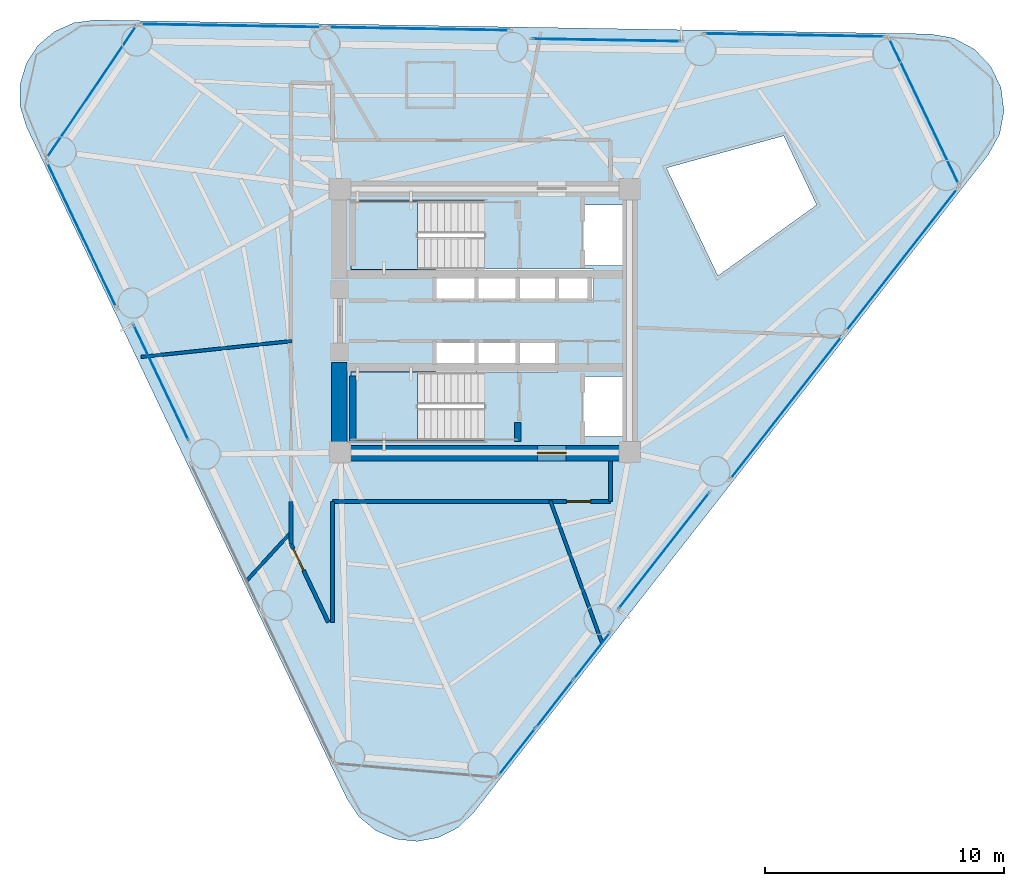
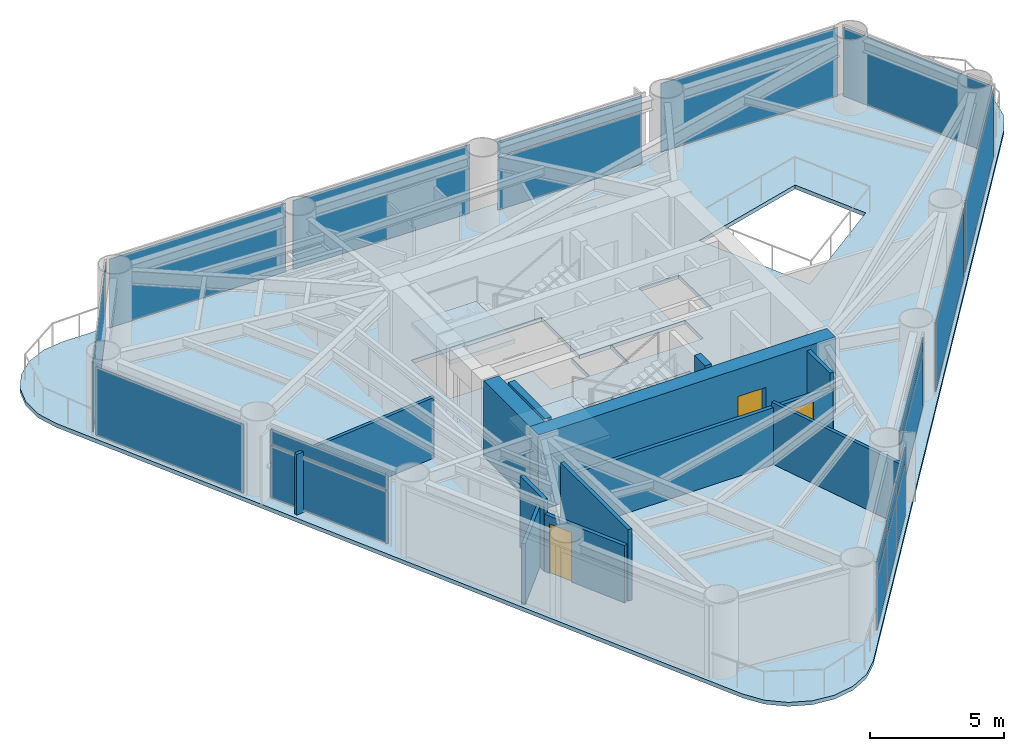
# One storey, part 5 of 10: 20 plates, 12 walls, 3 doors, 3 slabs, 3 openings, 14 elements without a shape of their own.
"""IFC4 building model written with IfcOpenShell, lengths in metres."""

from ifc_helpers import new_model, si_unit, direction, frame, frame_2d, origin, origin_2d, place, context, subcontext, project, spatial, polyline, rectangle, outline, extrude, source, transform, mapped, material, layer, layer_set, type_object, element, fill, aggregate, save


model = new_model("IFC4")

# Units and contexts
model_context = context("Model", 3, precision=1e-05, world=origin(), true_north=direction((0.0, 1.0)))
body_context = subcontext(model_context, "Body", "Model", "MODEL_VIEW")
ifc_project = project(units=[si_unit("LENGTHUNIT", "METRE"), si_unit("AREAUNIT", "SQUARE_METRE"), si_unit("VOLUMEUNIT", "CUBIC_METRE"), si_unit("PLANEANGLEUNIT", "RADIAN"), si_unit("MASSUNIT", "GRAM", prefix="KILO")], contexts=[model_context])

# Site, building, storey
site_placement = place(None, origin())
site = spatial("IfcSite", under=ifc_project, at=site_placement, CompositionType="ELEMENT")
building_placement = place(site_placement, origin())
building = spatial("IfcBuilding", under=site, at=building_placement, Name="Yunling Apex Tower", CompositionType="ELEMENT")
storey_placement = place(building_placement, frame((0.0, 0.0, 132.949951171875)))
storey = spatial("IfcBuildingStorey", under=building, at=storey_placement, Name="L32", CompositionType="ELEMENT", Elevation=132.949951171875)

# Slab
ifc_material_1 = material(Name="Concrete C40", Category="concrete")
ifc_layer_1 = layer(ifc_material_1, 0.1650390625)
ifc_layer_set_1 = layer_set([ifc_layer_1], Name="Concrete C40")
slab_type_1 = type_object("IfcSlabType", Name="SL-FLR-2", PredefinedType="FLOOR", material=ifc_layer_set_1)
slab_1_placement = place(storey_placement, frame((0.0, 0.0, -0.179931640625)))
element("IfcSlab", 1, at=slab_1_placement, inside=storey, type_object=slab_type_1, Name="L32 Composite Tower Floor Slab", PredefinedType="FLOOR", context=body_context, shape_type="SweptSolid", body=[
    extrude(outline(polyline([(-5.759765625, -19.970947265625), (-5.255615234375, -20.723388671875), (-4.55712890625, -21.300048828125), (-3.722900390625, -21.652587890625), (-2.82275390625, -21.75146484375), (-1.931884765625, -21.58837890625), (-1.125, -21.17724609375), (-0.469482421875, -20.55224609375), (21.029541015625, 6.926025390625), (21.5078125, 7.7900390625), (21.693115234375, 8.76025390625), (21.566650390625, 9.73974609375), (21.1416015625, 10.631103515625), (20.459716796875, 11.345703125), (19.58935546875, 11.812255859375), (18.616943359375, 11.984375), (-16.267578125, 12.569091796875), (-17.165771484375, 12.453125), (-17.9931640625, 12.084716796875), (-18.680419921875, 11.4951171875), (-19.170166015625, 10.733154296875), (-19.421142578125, 9.86279296875), (-19.41259765625, 8.957275390625), (-19.14501953125, 8.092041015625), (-5.759765625, -19.970947265625)]), holes=[polyline([(12.489013671875, 7.7294921875), (13.86669921875, 4.84130859375), (9.7412109375, 1.87646484375), (7.58837890625, 6.389404296875), (12.489013671875, 7.7294921875)]), polyline([(4.090087890625, -2.320068359375), (5.81005859375, -2.320068359375), (5.81005859375, -4.840087890625), (4.090087890625, -4.840087890625), (4.090087890625, -2.320068359375)]), polyline([(5.81005859375, 4.840087890625), (5.81005859375, 2.320068359375), (4.090087890625, 2.320068359375), (4.090087890625, 4.840087890625), (5.81005859375, 4.840087890625)]), polyline([(1.364990234375, 2.1650390625), (4.534912109375, 2.1650390625), (4.534912109375, 0.794921875), (1.364990234375, 0.794921875), (1.364990234375, 2.1650390625)]), polyline([(3.034912109375, -0.794921875), (3.034912109375, -2.1650390625), (1.364990234375, -2.1650390625), (1.364990234375, -0.794921875), (3.034912109375, -0.794921875)]), polyline([(-2.034912109375, -0.794921875), (-0.364990234375, -0.794921875), (-0.364990234375, -2.139892578125), (-0.3349609375, -2.139892578125), (-0.3349609375, -0.794921875), (1.3349609375, -0.794921875), (1.3349609375, -2.1650390625), (-0.010009765625, -2.1650390625), (-0.010009765625, -5.010009765625), (-5.60009765625, -5.010009765625), (-5.60009765625, -2.139892578125), (-2.034912109375, -2.139892578125), (-2.034912109375, -0.794921875)]), polyline([(-5.60009765625, 2.139892578125), (-5.60009765625, 5.010009765625), (-0.010009765625, 5.010009765625), (-0.010009765625, 2.1650390625), (1.3349609375, 2.1650390625), (1.3349609375, 0.794921875), (-0.3349609375, 0.794921875), (-0.3349609375, 2.139892578125), (-0.364990234375, 2.139892578125), (-0.364990234375, 0.794921875), (-2.034912109375, 0.794921875), (-2.034912109375, 2.139892578125), (-5.60009765625, 2.139892578125)])]), origin(), (0.0, 0.0, 1.0), 0.179931640625),
])

# Stair, slab
stair_type = type_object("IfcStairType", Name="ST-TWR-2", PredefinedType="HALF_TURN_STAIR", material=ifc_material_1)
stair_1_placement = place(storey_placement, origin())
stair_1 = element("IfcStair", 2, at=stair_1_placement, inside=storey, type_object=stair_type, Name="L32 North Core Smokeproof Exit Stair ST-1", PredefinedType="HALF_TURN_STAIR")
ifc_layer_2 = layer(ifc_material_1, 0.195068359375)
ifc_layer_set_2 = layer_set([ifc_layer_2], Name="Concrete C40")
slab_type_2 = type_object("IfcSlabType", Name="SL-LND-1", PredefinedType="LANDING", material=ifc_layer_set_2)
slab_2_placement = place(storey_placement, frame((0.0, 0.0, 1.530029296875)))
slab_2 = element("IfcSlab", 3, at=slab_2_placement, type_object=slab_type_2, Name="ST-1 landing 1", PredefinedType="LANDING", context=body_context, shape_type="SweptSolid", body=[
    extrude(outline(polyline([(-2.81005859375, 5.010009765625), (-5.60009765625, 5.010009765625), (-5.60009765625, 2.139892578125), (-2.81005859375, 2.139892578125), (-2.81005859375, 5.010009765625)])), origin(), (0.0, 0.0, 1.0), 0.195068359375),
])
aggregate(stair_1, [slab_2])

stair_2_placement = place(storey_placement, origin())
stair_2 = element("IfcStair", 4, at=stair_2_placement, inside=storey, type_object=stair_type, Name="L32 South Core Smokeproof Exit Stair ST-2", PredefinedType="HALF_TURN_STAIR")
slab_3_placement = place(storey_placement, frame((0.0, 0.0, 1.530029296875)))
slab_3 = element("IfcSlab", 5, at=slab_3_placement, type_object=slab_type_2, Name="ST-2 landing 1", PredefinedType="LANDING", context=body_context, shape_type="SweptSolid", body=[
    extrude(outline(polyline([(-2.81005859375, -2.139892578125), (-5.60009765625, -2.139892578125), (-5.60009765625, -5.010009765625), (-2.81005859375, -5.010009765625), (-2.81005859375, -2.139892578125)])), origin(), (0.0, 0.0, 1.0), 0.195068359375),
])
aggregate(stair_2, [slab_3])

# Curtain wall, plates
ifc_material_2 = material(Name="Bronze anodised aluminium", Category="aluminium")
ifc_layer_3 = layer(ifc_material_2, 0.239990234375)
ifc_layer_set_3 = layer_set([ifc_layer_3], Name="Bronze anodised aluminium")
curtain_wall_type = type_object("IfcCurtainWallType", Name="CW-SYS-3", PredefinedType="NOTDEFINED", material=ifc_layer_set_3)
curtain_wall_1_placement = place(storey_placement, origin())
curtain_wall_1 = element("IfcCurtainWall", 6, at=curtain_wall_1_placement, inside=storey, type_object=curtain_wall_type, Name="CW-L32-F1-B1", PredefinedType="NOTDEFINED")
ifc_material_3 = material(Name="Bronze tinted low-E glass", Category="glass")
ifc_layer_4 = layer(ifc_material_3, 0.031982421875)
ifc_layer_set_4 = layer_set([ifc_layer_4], Name="Bronze tinted low-E glass")
plate_type = type_object("IfcPlateType", Name="CW-PNL-3", PredefinedType="CURTAIN_PANEL", material=ifc_layer_set_4)
shared_shape_1 = source(origin(), body_context, "Body", "SweptSolid", [
    extrude(rectangle(XDim=2.45947265625, YDim=0.031982421875, at=origin_2d()), origin(), (0.0, 0.0, 1.0), 2.381103515625),
])
plate_1_placement = place(storey_placement, frame((1.3466796875, -18.00390625, 0.072265625), z_axis=(0.0, 0.0, 1.0), x_axis=(0.616207626377, 0.787583748686, 0.0)))
plate_1 = element("IfcPlate", 7, at=plate_1_placement, type_object=plate_type, Name="CW-SYS-3 panel 1.1", PredefinedType="CURTAIN_PANEL", context=body_context, shape_type="MappedRepresentation", body=[
    mapped(shared_shape_1, transform((0.0, 0.0, 0.0), scale=1.0)),
])
plate_2_placement = place(storey_placement, frame((4.481201171875, -13.99755859375, 0.072265625), z_axis=(0.0, 0.0, 1.0), x_axis=(0.616207626377, 0.787583748686, 0.0)))
plate_2 = element("IfcPlate", 8, at=plate_2_placement, type_object=plate_type, Name="CW-SYS-3 panel 3.1", PredefinedType="CURTAIN_PANEL", context=body_context, shape_type="MappedRepresentation", body=[
    mapped(shared_shape_1, transform((0.0, 0.0, 0.0), scale=1.0)),
])
shared_shape_2 = source(origin(), body_context, "Body", "SweptSolid", [
    extrude(rectangle(XDim=2.45947265625, YDim=0.031982421875, at=origin_2d()), origin(), (0.0, 0.0, 1.0), 0.680908203125),
])
plate_3_placement = place(storey_placement, frame((1.3466796875, -18.00390625, 2.51708984375), z_axis=(0.0, 0.0, 1.0), x_axis=(0.616207626377, 0.787583748686, 0.0)))
plate_3 = element("IfcPlate", 9, at=plate_3_placement, type_object=plate_type, Name="CW-SYS-3 panel 1.2", PredefinedType="CURTAIN_PANEL", context=body_context, shape_type="MappedRepresentation", body=[
    mapped(shared_shape_2, transform((0.0, 0.0, 0.0), scale=1.0)),
])
plate_4_placement = place(storey_placement, frame((4.481201171875, -13.99755859375, 2.51708984375), z_axis=(0.0, 0.0, 1.0), x_axis=(0.616207626377, 0.787583748686, 0.0)))
plate_4 = element("IfcPlate", 10, at=plate_4_placement, type_object=plate_type, Name="CW-SYS-3 panel 3.2", PredefinedType="CURTAIN_PANEL", context=body_context, shape_type="MappedRepresentation", body=[
    mapped(shared_shape_2, transform((0.0, 0.0, 0.0), scale=1.0)),
])
shared_shape_3 = source(origin(), body_context, "Body", "SweptSolid", [
    extrude(rectangle(XDim=2.499267578125, YDim=0.031982421875, at=origin_2d()), origin(), (0.0, 0.0, 1.0), 2.381103515625),
])
plate_5_placement = place(storey_placement, frame((2.913818359375, -16.000732421875, 0.072265625), z_axis=(0.0, 0.0, 1.0), x_axis=(0.616207626377, 0.787583748686, 0.0)))
plate_5 = element("IfcPlate", 11, at=plate_5_placement, type_object=plate_type, Name="CW-SYS-3 panel 2.1", PredefinedType="CURTAIN_PANEL", context=body_context, shape_type="MappedRepresentation", body=[
    mapped(shared_shape_3, transform((0.0, 0.0, 0.0), scale=1.0)),
])
shared_shape_4 = source(origin(), body_context, "Body", "SweptSolid", [
    extrude(rectangle(XDim=2.499267578125, YDim=0.031982421875, at=origin_2d()), origin(), (0.0, 0.0, 1.0), 0.680908203125),
])
plate_6_placement = place(storey_placement, frame((2.913818359375, -16.000732421875, 2.51708984375), z_axis=(0.0, 0.0, 1.0), x_axis=(0.616207626377, 0.787583748686, 0.0)))
plate_6 = element("IfcPlate", 12, at=plate_6_placement, type_object=plate_type, Name="CW-SYS-3 panel 2.2", PredefinedType="CURTAIN_PANEL", context=body_context, shape_type="MappedRepresentation", body=[
    mapped(shared_shape_4, transform((0.0, 0.0, 0.0), scale=1.0)),
])
aggregate(curtain_wall_1, [plate_1, plate_3, plate_5, plate_6, plate_2, plate_4])

curtain_wall_2_placement = place(storey_placement, origin())
curtain_wall_2 = element("IfcCurtainWall", 13, at=curtain_wall_2_placement, inside=storey, type_object=curtain_wall_type, Name="CW-L32-F1-B2", PredefinedType="NOTDEFINED")
shared_shape_5 = source(origin(), body_context, "Body", "SweptSolid", [
    extrude(rectangle(XDim=6.166015625, YDim=0.031982421875, at=origin_2d()), origin(), (0.0, 0.0, 1.0), 2.381103515625),
])
plate_7_placement = place(storey_placement, frame((7.4833984375, -9.608642578125, 0.072265625), z_axis=(0.0, 0.0, 1.0), x_axis=(0.616199292419, 0.787590269126, 0.0)))
plate_7 = element("IfcPlate", 14, at=plate_7_placement, type_object=plate_type, Name="CW-SYS-3 panel 1.1", PredefinedType="CURTAIN_PANEL", context=body_context, shape_type="MappedRepresentation", body=[
    mapped(shared_shape_5, transform((0.0, 0.0, 0.0), scale=1.0)),
])
shared_shape_6 = source(origin(), body_context, "Body", "SweptSolid", [
    extrude(rectangle(XDim=6.166015625, YDim=0.031982421875, at=origin_2d()), origin(), (0.0, 0.0, 1.0), 0.680908203125),
])
plate_8_placement = place(storey_placement, frame((7.4833984375, -9.608642578125, 2.51708984375), z_axis=(0.0, 0.0, 1.0), x_axis=(0.616199292419, 0.787590269126, 0.0)))
plate_8 = element("IfcPlate", 15, at=plate_8_placement, type_object=plate_type, Name="CW-SYS-3 panel 1.2", PredefinedType="CURTAIN_PANEL", context=body_context, shape_type="MappedRepresentation", body=[
    mapped(shared_shape_6, transform((0.0, 0.0, 0.0), scale=1.0)),
])
aggregate(curtain_wall_2, [plate_7, plate_8])

# Curtain wall, plate
curtain_wall_3_placement = place(storey_placement, origin())
curtain_wall_3 = element("IfcCurtainWall", 16, at=curtain_wall_3_placement, inside=storey, type_object=curtain_wall_type, Name="CW-L32-F1-B3", PredefinedType="NOTDEFINED")
shared_shape_7 = source(origin(), body_context, "Body", "SweptSolid", [
    extrude(rectangle(XDim=7.546142578125, YDim=0.031982421875, at=origin_2d()), origin(), (0.0, 0.0, 1.0), 3.1259765625),
])
plate_9_placement = place(storey_placement, frame((12.58837890625, -3.635498046875, 0.072021484375), z_axis=(0.0, 0.0, 1.0), x_axis=(0.616207626377, 0.787583748686, 0.0)))
plate_9 = element("IfcPlate", 17, at=plate_9_placement, type_object=plate_type, Name="CW-SYS-3 panel 1.1", PredefinedType="CURTAIN_PANEL", context=body_context, shape_type="MappedRepresentation", body=[
    mapped(shared_shape_7, transform((0.0, 0.0, 0.0), scale=1.0)),
])
aggregate(curtain_wall_3, [plate_9])

curtain_wall_4_placement = place(storey_placement, origin())
curtain_wall_4 = element("IfcCurtainWall", 18, at=curtain_wall_4_placement, inside=storey, type_object=curtain_wall_type, Name="CW-L32-F1-B4", PredefinedType="NOTDEFINED")
plate_10_placement = place(storey_placement, frame((17.425537109375, 2.547119140625, 0.072021484375), z_axis=(0.0, 0.0, 1.0), x_axis=(0.616207626377, 0.787583748686, 0.0)))
plate_10 = element("IfcPlate", 19, at=plate_10_placement, type_object=plate_type, Name="CW-SYS-3 panel 1.1", PredefinedType="CURTAIN_PANEL", context=body_context, shape_type="MappedRepresentation", body=[
    mapped(shared_shape_7, transform((0.0, 0.0, 0.0), scale=1.0)),
])
aggregate(curtain_wall_4, [plate_10])

curtain_wall_5_placement = place(storey_placement, origin())
curtain_wall_5 = element("IfcCurtainWall", 20, at=curtain_wall_5_placement, inside=storey, type_object=curtain_wall_type, Name="CW-L32-F2-B1", PredefinedType="NOTDEFINED")
plate_11_placement = place(storey_placement, frame((12.94580078125, 11.939453125, 0.072021484375), z_axis=(0.0, 0.0, 1.0), x_axis=(-0.99985951392, 0.016761635477, 0.0)))
plate_11 = element("IfcPlate", 21, at=plate_11_placement, type_object=plate_type, Name="CW-SYS-3 panel 1.1", PredefinedType="CURTAIN_PANEL", context=body_context, shape_type="MappedRepresentation", body=[
    mapped(shared_shape_7, transform((0.0, 0.0, 0.0), scale=1.0)),
])
aggregate(curtain_wall_5, [plate_11])

curtain_wall_6_placement = place(storey_placement, origin())
curtain_wall_6 = element("IfcCurtainWall", 22, at=curtain_wall_6_placement, inside=storey, type_object=curtain_wall_type, Name="CW-L32-F2-B3", PredefinedType="NOTDEFINED")
plate_12_placement = place(storey_placement, frame((-2.752197265625, 12.20263671875, 0.072021484375), z_axis=(0.0, 0.0, 1.0), x_axis=(-0.99985951392, 0.016761635477, 0.0)))
plate_12 = element("IfcPlate", 23, at=plate_12_placement, type_object=plate_type, Name="CW-SYS-3 panel 1.1", PredefinedType="CURTAIN_PANEL", context=body_context, shape_type="MappedRepresentation", body=[
    mapped(shared_shape_7, transform((0.0, 0.0, 0.0), scale=1.0)),
])
aggregate(curtain_wall_6, [plate_12])

curtain_wall_7_placement = place(storey_placement, origin())
curtain_wall_7 = element("IfcCurtainWall", 24, at=curtain_wall_7_placement, inside=storey, type_object=curtain_wall_type, Name="CW-L32-F2-B4", PredefinedType="NOTDEFINED")
plate_13_placement = place(storey_placement, frame((-10.60107421875, 12.334228515625, 0.072021484375), z_axis=(0.0, 0.0, 1.0), x_axis=(-0.99985951392, 0.016761635477, 0.0)))
plate_13 = element("IfcPlate", 25, at=plate_13_placement, type_object=plate_type, Name="CW-SYS-3 panel 1.1", PredefinedType="CURTAIN_PANEL", context=body_context, shape_type="MappedRepresentation", body=[
    mapped(shared_shape_7, transform((0.0, 0.0, 0.0), scale=1.0)),
])
aggregate(curtain_wall_7, [plate_13])

curtain_wall_8_placement = place(storey_placement, origin())
curtain_wall_8 = element("IfcCurtainWall", 26, at=curtain_wall_8_placement, inside=storey, type_object=curtain_wall_type, Name="CW-L32-CRN1", PredefinedType="NOTDEFINED")
shared_shape_8 = source(origin(), body_context, "Body", "SweptSolid", [
    extrude(rectangle(XDim=6.728271484375, YDim=0.031982421875, at=origin_2d()), origin(), (0.0, 0.0, 1.0), 3.1259765625),
])
plate_14_placement = place(storey_placement, frame((18.349365234375, 8.752197265625, 0.072021484375), z_axis=(0.0, 0.0, 1.0), x_axis=(-0.430518667458, 0.902581673296, 0.0)))
plate_14 = element("IfcPlate", 27, at=plate_14_placement, type_object=plate_type, Name="CW-SYS-3 panel 1.1", PredefinedType="CURTAIN_PANEL", context=body_context, shape_type="MappedRepresentation", body=[
    mapped(shared_shape_8, transform((0.0, 0.0, 0.0), scale=1.0)),
])
aggregate(curtain_wall_8, [plate_14])

# Curtain wall, plates
curtain_wall_9_placement = place(storey_placement, origin())
curtain_wall_9 = element("IfcCurtainWall", 28, at=curtain_wall_9_placement, inside=storey, type_object=curtain_wall_type, Name="CW-L32-F2-B2", PredefinedType="NOTDEFINED")
shared_shape_9 = source(origin(), body_context, "Body", "SweptSolid", [
    extrude(rectangle(XDim=6.166259765625, YDim=0.031982421875, at=origin_2d()), origin(), (0.0, 0.0, 1.0), 2.381103515625),
])
plate_15_placement = place(storey_placement, frame((5.091064453125, 11.73095703125, 0.072265625), z_axis=(0.0, 0.0, 1.0), x_axis=(-0.999859431696, 0.016766539529, 0.0)))
plate_15 = element("IfcPlate", 29, at=plate_15_placement, type_object=plate_type, Name="CW-SYS-3 panel 1.1", PredefinedType="CURTAIN_PANEL", context=body_context, shape_type="MappedRepresentation", body=[
    mapped(shared_shape_9, transform((0.0, 0.0, 0.0), scale=1.0)),
])
shared_shape_10 = source(origin(), body_context, "Body", "SweptSolid", [
    extrude(rectangle(XDim=6.166259765625, YDim=0.031982421875, at=origin_2d()), origin(), (0.0, 0.0, 1.0), 0.680908203125),
])
plate_16_placement = place(storey_placement, frame((5.091064453125, 11.73095703125, 2.51708984375), z_axis=(0.0, 0.0, 1.0), x_axis=(-0.999859431696, 0.016766539529, 0.0)))
plate_16 = element("IfcPlate", 30, at=plate_16_placement, type_object=plate_type, Name="CW-SYS-3 panel 1.2", PredefinedType="CURTAIN_PANEL", context=body_context, shape_type="MappedRepresentation", body=[
    mapped(shared_shape_10, transform((0.0, 0.0, 0.0), scale=1.0)),
])
aggregate(curtain_wall_9, [plate_15, plate_16])

# Curtain wall, plate
curtain_wall_10_placement = place(storey_placement, origin())
curtain_wall_10 = element("IfcCurtainWall", 31, at=curtain_wall_10_placement, inside=storey, type_object=curtain_wall_type, Name="CW-L32-CRN2", PredefinedType="NOTDEFINED")
shared_shape_11 = source(origin(), body_context, "Body", "SweptSolid", [
    extrude(rectangle(XDim=6.644775390625, YDim=0.031982421875, at=origin_2d()), origin(), (0.0, 0.0, 1.0), 3.1259765625),
])
plate_17_placement = place(storey_placement, frame((-16.4287109375, 9.56884765625, 0.072021484375), z_axis=(0.0, 0.0, 1.0), x_axis=(-0.560523052964, -0.82813882115, 0.0)))
plate_17 = element("IfcPlate", 32, at=plate_17_placement, type_object=plate_type, Name="CW-SYS-3 panel 1.1", PredefinedType="CURTAIN_PANEL", context=body_context, shape_type="MappedRepresentation", body=[
    mapped(shared_shape_11, transform((0.0, 0.0, 0.0), scale=1.0)),
])
aggregate(curtain_wall_10, [plate_17])

curtain_wall_11_placement = place(storey_placement, origin())
curtain_wall_11 = element("IfcCurtainWall", 33, at=curtain_wall_11_placement, inside=storey, type_object=curtain_wall_type, Name="CW-L32-F3-B1", PredefinedType="NOTDEFINED")
shared_shape_12 = source(origin(), body_context, "Body", "SweptSolid", [
    extrude(rectangle(XDim=6.691650390625, YDim=0.031982421875, at=origin_2d()), origin(), (0.0, 0.0, 1.0), 3.1259765625),
])
plate_18_placement = place(storey_placement, frame((-16.843505859375, 3.592041015625, 0.072021484375), z_axis=(0.0, 0.0, 1.0), x_axis=(0.4305058957, -0.902587765133, 0.0)))
plate_18 = element("IfcPlate", 34, at=plate_18_placement, type_object=plate_type, Name="CW-SYS-3 panel 1.1", PredefinedType="CURTAIN_PANEL", context=body_context, shape_type="MappedRepresentation", body=[
    mapped(shared_shape_12, transform((0.0, 0.0, 0.0), scale=1.0)),
])
aggregate(curtain_wall_11, [plate_18])

# Curtain wall, plates
curtain_wall_12_placement = place(storey_placement, origin())
curtain_wall_12 = element("IfcCurtainWall", 35, at=curtain_wall_12_placement, inside=storey, type_object=curtain_wall_type, Name="CW-L32-F3-B2", PredefinedType="NOTDEFINED")
shared_shape_13 = source(origin(), body_context, "Body", "SweptSolid", [
    extrude(rectangle(XDim=5.311767578125, YDim=0.031982421875, at=origin_2d()), origin(), (0.0, 0.0, 1.0), 2.381103515625),
])
plate_19_placement = place(storey_placement, frame((-13.52490234375, -2.57568359375, 0.072265625), z_axis=(0.0, 0.0, 1.0), x_axis=(0.430522606859, -0.902579794247, 0.0)))
plate_19 = element("IfcPlate", 36, at=plate_19_placement, type_object=plate_type, Name="CW-SYS-3 panel 1.1", PredefinedType="CURTAIN_PANEL", context=body_context, shape_type="MappedRepresentation", body=[
    mapped(shared_shape_13, transform((0.0, 0.0, 0.0), scale=1.0)),
])
shared_shape_14 = source(origin(), body_context, "Body", "SweptSolid", [
    extrude(rectangle(XDim=5.311767578125, YDim=0.031982421875, at=origin_2d()), origin(), (0.0, 0.0, 1.0), 0.680908203125),
])
plate_20_placement = place(storey_placement, frame((-13.52490234375, -2.57568359375, 2.51708984375), z_axis=(0.0, 0.0, 1.0), x_axis=(0.430522606859, -0.902579794247, 0.0)))
plate_20 = element("IfcPlate", 37, at=plate_20_placement, type_object=plate_type, Name="CW-SYS-3 panel 1.2", PredefinedType="CURTAIN_PANEL", context=body_context, shape_type="MappedRepresentation", body=[
    mapped(shared_shape_14, transform((0.0, 0.0, 0.0), scale=1.0)),
])
aggregate(curtain_wall_12, [plate_19, plate_20])

# Wall, opening, door
ifc_material_4 = material(Name="Concrete C50", Category="concrete")
ifc_layer_5 = layer(ifc_material_4, 0.64990234375)
ifc_layer_set_5 = layer_set([ifc_layer_5], Name="Concrete C50")
wall_type_1 = type_object("IfcWallType", Name="WL-COR-2", PredefinedType="SHEAR", material=ifc_layer_set_5)
wall_1_placement = place(storey_placement, frame((-6.39990234375, -5.52490234375, 0.0), z_axis=(0.0, 0.0, 1.0), x_axis=(1.0, 0.0, 0.0)))
wall_1 = element("IfcWall", 38, at=wall_1_placement, inside=storey, type_object=wall_type_1, Name="L32 South Core Shear Wall", PredefinedType="SHEAR", context=body_context, shape_type="SweptSolid", body=[
    extrude(rectangle(XDim=12.7998046875, YDim=0.64990234375, at=frame_2d((6.39990234375, 0.0))), origin(), (0.0, 0.0, 1.0), 3.449951171875),
])
opening_1_placement = place(wall_1_placement, frame((8.60009765625, 0.0, 0.0)))
opening_1 = element("IfcOpeningElement", 39, at=opening_1_placement, cuts=wall_1, Name="Opening DR-FFL-1", PredefinedType="OPENING", context=body_context, shape_type="SweptSolid", body=[
    extrude(rectangle(XDim=1.199951171875, YDim=2.199951171875, at=frame_2d((0.60009765625, 1.10009765625))), frame((0.0, 0.3349609375, 0.0), z_axis=(0.0, -1.0, 0.0), x_axis=(1.0, 0.0, 0.0)), (0.0, 0.0, 1.0), 0.669921875),
])
ifc_material_5 = material(Name="Steel Q355B", Category="steel")
door_type_1 = type_object("IfcDoorType", Name="DR-FFL-1", OperationType="NOTDEFINED", PredefinedType="DOOR", material=ifc_material_5)
door_1_placement = place(opening_1_placement, origin())
door_1 = element("IfcDoor", 40, at=door_1_placement, inside=storey, type_object=door_type_1, Name="L32 South Firefighting Lobby Door", OperationType="SINGLE_SWING_RIGHT", OverallHeight=2.199951171875, OverallWidth=1.199951171875, PredefinedType="DOOR", context=body_context, shape_type="SweptSolid", body=[
    extrude(rectangle(XDim=1.199951171875, YDim=2.199951171875, at=frame_2d((0.60009765625, 1.10009765625))), frame((0.0, 0.02490234375, 0.0), z_axis=(0.0, -1.0, 0.0), x_axis=(1.0, 0.0, 0.0)), (0.0, 0.0, 1.0), 0.050048828125),
])
fill(opening_1, door_1)

# Walls
wall_2_placement = place(storey_placement, frame((-6.074951171875, -5.199951171875, 0.0), z_axis=(0.0, 0.0, 1.0), x_axis=(0.0, 1.0, 0.0)))
element("IfcWall", 41, at=wall_2_placement, inside=storey, type_object=wall_type_1, Name="L32 West-South Core Shear Wall", PredefinedType="SHEAR", context=body_context, shape_type="SweptSolid", body=[
    extrude(rectangle(XDim=3.449951171875, YDim=0.64990234375, at=frame_2d((1.72509765625, 0.0))), origin(), (0.0, 0.0, 1.0), 3.449951171875),
])
ifc_layer_6 = layer(ifc_material_1, 0.280029296875)
ifc_layer_set_6 = layer_set([ifc_layer_6], Name="Concrete C40")
wall_type_2 = type_object("IfcWallType", Name="WL-COR-8", PredefinedType="SHEAR", material=ifc_layer_set_6)
wall_3_placement = place(storey_placement, frame((-5.52001953125, -5.050048828125, 0.0), z_axis=(0.0, 0.0, 1.0), x_axis=(0.0, 1.0, 0.0)))
element("IfcWall", 42, at=wall_3_placement, inside=storey, type_object=wall_type_2, Name="L32 ST-2 West Landing Bearing Wall", PredefinedType="SHEAR", context=body_context, shape_type="SweptSolid", body=[
    extrude(rectangle(XDim=2.75, YDim=0.280029296875, at=frame_2d((1.375, 0.0))), origin(), (0.0, 0.0, 1.0), 3.449951171875),
])
wall_4_placement = place(storey_placement, frame((1.3798828125, -5.050048828125, 0.0), z_axis=(0.0, 0.0, 1.0), x_axis=(0.0, 1.0, 0.0)))
element("IfcWall", 43, at=wall_4_placement, inside=storey, type_object=wall_type_2, Name="L32 ST-2 East Landing Bearing Pier", PredefinedType="SHEAR", context=body_context, shape_type="SweptSolid", body=[
    extrude(rectangle(XDim=0.800048828125, YDim=0.280029296875, at=frame_2d((0.39990234375, 0.0))), origin(), (0.0, 0.0, 1.0), 3.449951171875),
])

# Wall, opening, door
ifc_material_6 = material(Name="Gypsum board acoustic partition")
ifc_layer_7 = layer(ifc_material_6, 0.159912109375)
ifc_layer_set_7 = layer_set([ifc_layer_7], Name="Gypsum board acoustic partition")
wall_type_3 = type_object("IfcWallType", Name="WL-PRT-1", PredefinedType="PARTITIONING", material=ifc_layer_set_7)
wall_5_placement = place(storey_placement, frame((-6.538818359375, -12.60009765625, 0.0), z_axis=(0.0, 0.0, 1.0), x_axis=(-0.430521464151, 0.902580339308, 0.0)))
wall_5 = element("IfcWall", 44, at=wall_5_placement, inside=storey, type_object=wall_type_3, Name="WL-CORR-L32-01", PredefinedType="PARTITIONING", context=body_context, shape_type="SweptSolid", body=[
    extrude(rectangle(XDim=3.62646484375, YDim=0.159912109375, at=frame_2d((1.813232421875, 0.0))), origin(), (0.0, 0.0, 1.0), 2.60498046875),
])
opening_2_placement = place(wall_5_placement, frame((2.40625, 0.0, 0.0)))
opening_2 = element("IfcOpeningElement", 45, at=opening_2_placement, cuts=wall_5, Name="Opening DR-OFF-1", PredefinedType="OPENING", context=body_context, shape_type="SweptSolid", body=[
    extrude(rectangle(XDim=1.0, YDim=2.25, at=frame_2d((0.5, 1.125))), frame((0.0, 0.08984375, 0.0), z_axis=(0.0, -1.0, 0.0), x_axis=(1.0, 0.0, 0.0)), (0.0, 0.0, 1.0), 0.179931640625),
])
door_type_2 = type_object("IfcDoorType", Name="DR-OFF-1", OperationType="NOTDEFINED", PredefinedType="DOOR", material=ifc_material_2)
door_2_placement = place(opening_2_placement, origin())
door_2 = element("IfcDoor", 46, at=door_2_placement, inside=storey, type_object=door_type_2, Name="L32 Guest Reading Lounge Door", OperationType="SINGLE_SWING_RIGHT", OverallHeight=2.25, OverallWidth=1.0, PredefinedType="DOOR", context=body_context, shape_type="SweptSolid", body=[
    extrude(rectangle(XDim=1.0, YDim=2.25, at=frame_2d((0.5, 1.125))), frame((0.0, 0.02490234375, 0.0), z_axis=(0.0, -1.0, 0.0), x_axis=(1.0, 0.0, 0.0)), (0.0, 0.0, 1.0), 0.050048828125),
])
fill(opening_2, door_2)

# Walls
wall_6_placement = place(storey_placement, frame((-8.10009765625, -9.326904296875, 0.0), z_axis=(0.0, 0.0, 1.0), x_axis=(0.0, 1.0, 0.0)))
element("IfcWall", 47, at=wall_6_placement, inside=storey, type_object=wall_type_3, Name="WL-CORR-L32-02", PredefinedType="PARTITIONING", context=body_context, shape_type="SweptSolid", body=[
    extrude(rectangle(XDim=1.77685546875, YDim=0.159912109375, at=frame_2d((0.888427734375, 0.0))), origin(), (0.0, 0.0, 1.0), 3.25),
])
wall_7_placement = place(storey_placement, frame((5.25, -5.85009765625, 0.0), z_axis=(0.0, 0.0, 1.0), x_axis=(0.0, -1.0, 0.0)))
element("IfcWall", 48, at=wall_7_placement, inside=storey, type_object=wall_type_3, Name="WL-CORR-L32-09", PredefinedType="PARTITIONING", context=body_context, shape_type="SweptSolid", body=[
    extrude(rectangle(XDim=1.699951171875, YDim=0.159912109375, at=frame_2d((0.85009765625, 0.0))), origin(), (0.0, 0.0, 1.0), 3.25),
])

# Wall, opening, door
wall_8_placement = place(storey_placement, frame((5.25, -7.550048828125, 0.0), z_axis=(0.0, 0.0, 1.0), x_axis=(-1.0, 0.0, 0.0)))
wall_8 = element("IfcWall", 49, at=wall_8_placement, inside=storey, type_object=wall_type_3, Name="WL-CORR-L32-10", PredefinedType="PARTITIONING", context=body_context, shape_type="SweptSolid", body=[
    extrude(rectangle(XDim=11.610107421875, YDim=0.159912109375, at=frame_2d((5.80517578125, 0.0))), origin(), (0.0, 0.0, 1.0), 2.60498046875),
])
opening_3_placement = place(wall_8_placement, frame((0.827880859375, 0.0, 0.0)))
opening_3 = element("IfcOpeningElement", 50, at=opening_3_placement, cuts=wall_8, Name="Opening DR-OFF-1", PredefinedType="OPENING", context=body_context, shape_type="SweptSolid", body=[
    extrude(rectangle(XDim=1.0, YDim=2.25, at=frame_2d((0.5, 1.125))), frame((0.0, 0.08984375, 0.0), z_axis=(0.0, -1.0, 0.0), x_axis=(1.0, 0.0, 0.0)), (0.0, 0.0, 1.0), 0.179931640625),
])
door_3_placement = place(opening_3_placement, origin())
door_3 = element("IfcDoor", 51, at=door_3_placement, inside=storey, type_object=door_type_2, Name="L32 Guest Study Lounge Door", OperationType="SINGLE_SWING_LEFT", OverallHeight=2.25, OverallWidth=1.0, PredefinedType="DOOR", context=body_context, shape_type="SweptSolid", body=[
    extrude(rectangle(XDim=1.0, YDim=2.25, at=frame_2d((0.5, 1.125))), frame((0.0, 0.02490234375, 0.0), z_axis=(0.0, -1.0, 0.0), x_axis=(1.0, 0.0, 0.0)), (0.0, 0.0, 1.0), 0.050048828125),
])
fill(opening_3, door_3)

# Walls
wall_9_placement = place(storey_placement, frame((-6.360107421875, -7.550048828125, 0.0), z_axis=(0.0, 0.0, 1.0), x_axis=(0.0, -1.0, 0.0)))
element("IfcWall", 52, at=wall_9_placement, inside=storey, type_object=wall_type_3, Name="WL-CORR-L32-11", PredefinedType="PARTITIONING", context=body_context, shape_type="SweptSolid", body=[
    extrude(rectangle(XDim=5.050048828125, YDim=0.159912109375, at=frame_2d((2.52490234375, 0.0))), origin(), (0.0, 0.0, 1.0), 3.25),
])
ifc_layer_8 = layer(ifc_material_6, 0.139892578125)
ifc_layer_set_8 = layer_set([ifc_layer_8], Name="Gypsum board acoustic partition")
wall_type_4 = type_object("IfcWallType", Name="WL-PRT-2", PredefinedType="PARTITIONING", material=ifc_layer_set_8)
wall_10_placement = place(storey_placement, frame((-8.06005859375, -0.84716796875, 0.0), z_axis=(0.0, 0.0, 1.0), x_axis=(-0.994520422967, -0.104542471285, 0.0)))
element("IfcWall", 53, at=wall_10_placement, inside=storey, type_object=wall_type_4, Name="WL-RAD-L32-04", PredefinedType="PARTITIONING", context=body_context, shape_type="SweptSolid", body=[
    extrude(rectangle(XDim=6.34033203125, YDim=0.139892578125, at=frame_2d((3.170166015625, 0.0))), origin(), (0.0, 0.0, 1.0), 2.76513671875),
])
wall_11_placement = place(storey_placement, frame((-8.06005859375, -8.7958984375, 0.0), z_axis=(0.0, 0.0, 1.0), x_axis=(-0.67555207399, -0.737312278026, 0.0)))
element("IfcWall", 54, at=wall_11_placement, inside=storey, type_object=wall_type_4, Name="WL-RAD-L32-05", PredefinedType="PARTITIONING", context=body_context, shape_type="SweptSolid", body=[
    extrude(rectangle(XDim=2.75537109375, YDim=0.139892578125, at=frame_2d((1.377685546875, 0.0))), origin(), (0.0, 0.0, 1.0), 2.76513671875),
])
wall_12_placement = place(storey_placement, frame((2.7333984375, -7.510009765625, 0.0), z_axis=(0.0, 0.0, 1.0), x_axis=(0.342029891784, -0.93968907258, 0.0)))
element("IfcWall", 55, at=wall_12_placement, inside=storey, type_object=wall_type_4, Name="WL-RAD-L32-06", PredefinedType="PARTITIONING", context=body_context, shape_type="SweptSolid", body=[
    extrude(rectangle(XDim=6.287109375, YDim=0.139892578125, at=frame_2d((3.1435546875, 0.0))), origin(), (0.0, 0.0, 1.0), 2.804931640625),
])

save(model, "model.ifc")
